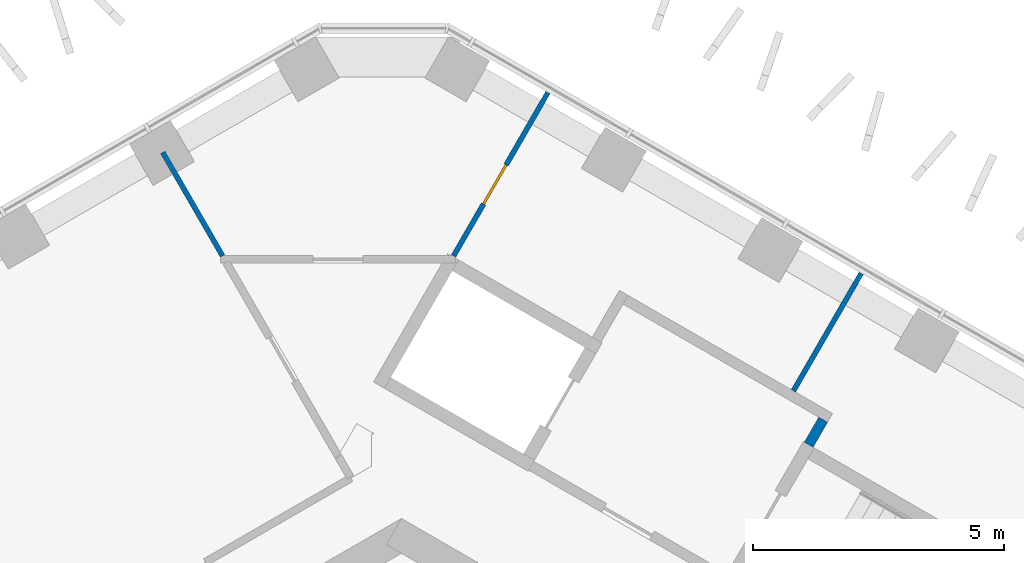
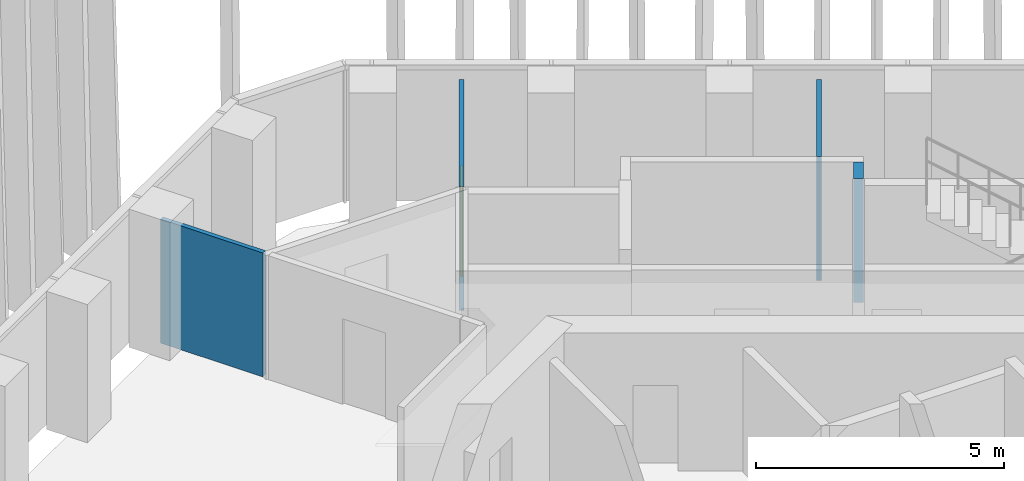
# One storey, part 16 of 21: 4 walls, 1 door, 1 opening.
"""IFC4 building model written with IfcOpenShell, lengths in metres."""

from ifc_helpers import new_model, si_unit, direction, frame, frame_2d, origin, place, context, subcontext, project, spatial, rectangle, extrude, material, layer, layer_set, type_object, element, fill, save


model = new_model("IFC4")

# Units and contexts
model_context = context("Model", 3, precision=1e-05, world=origin(), true_north=direction((0.0, 1.0)))
body_context = subcontext(model_context, "Body", "Model", "MODEL_VIEW")
ifc_project = project(units=[si_unit("LENGTHUNIT", "METRE"), si_unit("AREAUNIT", "SQUARE_METRE"), si_unit("VOLUMEUNIT", "CUBIC_METRE"), si_unit("PLANEANGLEUNIT", "RADIAN"), si_unit("MASSUNIT", "GRAM", prefix="KILO")], contexts=[model_context])

# Site, building, storey
site_placement = place(None, origin())
site = spatial("IfcSite", under=ifc_project, at=site_placement, CompositionType="ELEMENT")
building_placement = place(site_placement, origin())
building = spatial("IfcBuilding", under=site, at=building_placement, Name="Ayvan Gate Tower", CompositionType="ELEMENT")
storey_placement = place(building_placement, frame((0.0, 0.0, 173.10009765625)))
storey = spatial("IfcBuildingStorey", under=building, at=storey_placement, Name="L46", CompositionType="ELEMENT", Elevation=173.10009765625)

# Wall
ifc_material_1 = material(Name="Plasterboard on steel stud", Category="steel")
ifc_layer_1 = layer(ifc_material_1, 0.10009765625)
ifc_layer_set_1 = layer_set([ifc_layer_1], Name="Plasterboard on steel stud")
wall_type_1 = type_object("IfcWallType", Name="WT-PART-100", PredefinedType="PARTITIONING", material=ifc_layer_set_1)
wall_1_placement = place(storey_placement, frame((-3.560546875, 16.1953125, 0.0), z_axis=(0.0, 0.0, 1.0), x_axis=(-0.500021302286, 0.866013104554, 0.0)))
element("IfcWall", 1, at=wall_1_placement, inside=storey, type_object=wall_type_1, Name="IW-L46-036", PredefinedType="PARTITIONING", context=body_context, shape_type="SweptSolid", body=[
    extrude(rectangle(XDim=2.380859375, YDim=0.10009765625, at=frame_2d((1.1904296875, 0.0))), origin(), (0.0, 0.0, 1.0), 3.0498046875),
])

# Wall, opening, door
wall_2_placement = place(storey_placement, frame((2.915283203125, 19.449462890625, 0.0), z_axis=(0.0, 0.0, 1.0), x_axis=(-0.499975549825, -0.866039519639, 0.0)))
wall_2 = element("IfcWall", 2, at=wall_2_placement, inside=storey, type_object=wall_type_1, Name="IW-L46-059", PredefinedType="PARTITIONING", context=body_context, shape_type="SweptSolid", body=[
    extrude(rectangle(XDim=3.757568359375, YDim=0.10009765625, at=frame_2d((1.87890625, 0.0))), origin(), (0.0, 0.0, 1.0), 3.0498046875),
])
opening_placement = place(wall_2_placement, frame((1.664306640625, 0.0, 0.0)))
opening = element("IfcOpeningElement", 3, at=opening_placement, cuts=wall_2, Name="Opening L46-D27", PredefinedType="OPENING", context=body_context, shape_type="SweptSolid", body=[
    extrude(rectangle(XDim=0.89990234375, YDim=2.10009765625, at=frame_2d((0.449951171875, 1.050048828125))), frame((0.0, 0.06005859375, 0.0), z_axis=(0.0, -1.0, 0.0), x_axis=(1.0, 0.0, 0.0)), (0.0, 0.0, 1.0), 0.1201171875),
])
ifc_material_2 = material(Name="Timber door leaf", Category="wood")
door_type = type_object("IfcDoorType", Name="DT-900", OperationType="NOTDEFINED", PredefinedType="DOOR", material=ifc_material_2)
door_placement = place(opening_placement, origin())
door = element("IfcDoor", 4, at=door_placement, inside=storey, type_object=door_type, Name="ID-L46-027", OperationType="SINGLE_SWING_LEFT", OverallHeight=2.10009765625, OverallWidth=0.89990234375, PredefinedType="DOOR", context=body_context, shape_type="SweptSolid", body=[
    extrude(rectangle(XDim=0.89990234375, YDim=2.10009765625, at=frame_2d((0.449951171875, 1.050048828125))), frame((0.0, 0.02490234375, 0.0), z_axis=(0.0, -1.0, 0.0), x_axis=(1.0, 0.0, 0.0)), (0.0, 0.0, 1.0), 0.050048828125),
])
fill(opening, door)

# Walls
wall_3_placement = place(storey_placement, frame((7.800048828125, 13.510009765625, 0.0), z_axis=(0.0, 0.0, 1.0), x_axis=(0.499949324397, 0.866054659381, 0.0)))
element("IfcWall", 5, at=wall_3_placement, inside=storey, type_object=wall_type_1, Name="IW-L46-080", PredefinedType="PARTITIONING", context=body_context, shape_type="SweptSolid", body=[
    extrude(rectangle(XDim=2.701416015625, YDim=0.10009765625, at=frame_2d((1.3505859375, 0.0))), origin(), (0.0, 0.0, 1.0), 3.0498046875),
])
ifc_layer_2 = layer(ifc_material_1, 0.199951171875)
ifc_layer_set_2 = layer_set([ifc_layer_2], Name="Plasterboard on steel stud")
wall_type_2 = type_object("IfcWallType", Name="WT-RATED-200", PredefinedType="PARTITIONING", material=ifc_layer_set_2)
wall_4_placement = place(storey_placement, frame((8.392822265625, 12.936767578125, 0.0), z_axis=(0.0, 0.0, 1.0), x_axis=(-0.500065409566, -0.86598763626, 0.0)))
element("IfcWall", 6, at=wall_4_placement, inside=storey, type_object=wall_type_2, Name="IW-L46-082", PredefinedType="PARTITIONING", context=body_context, shape_type="SweptSolid", body=[
    extrude(rectangle(XDim=0.5751953125, YDim=0.199951171875, at=frame_2d((0.28759765625, 0.0))), origin(), (0.0, 0.0, 1.0), 3.0498046875),
])

save(model, "model.ifc")
